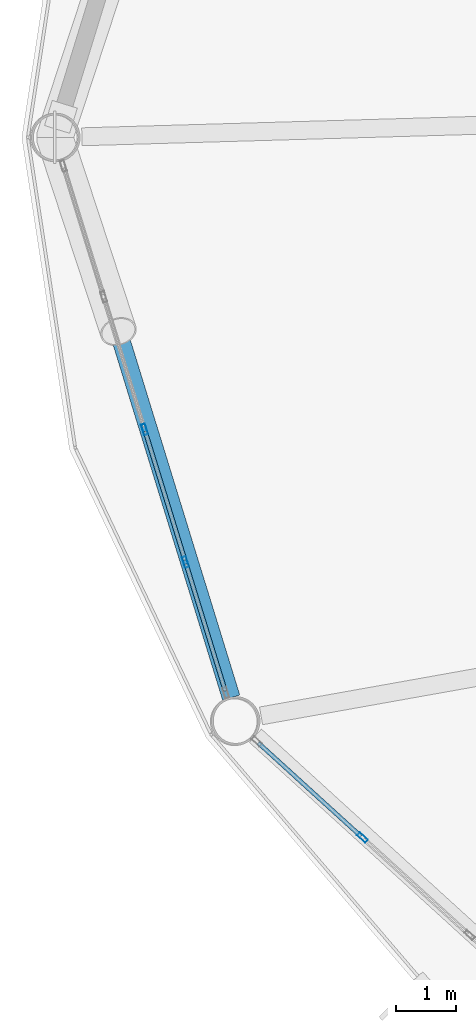
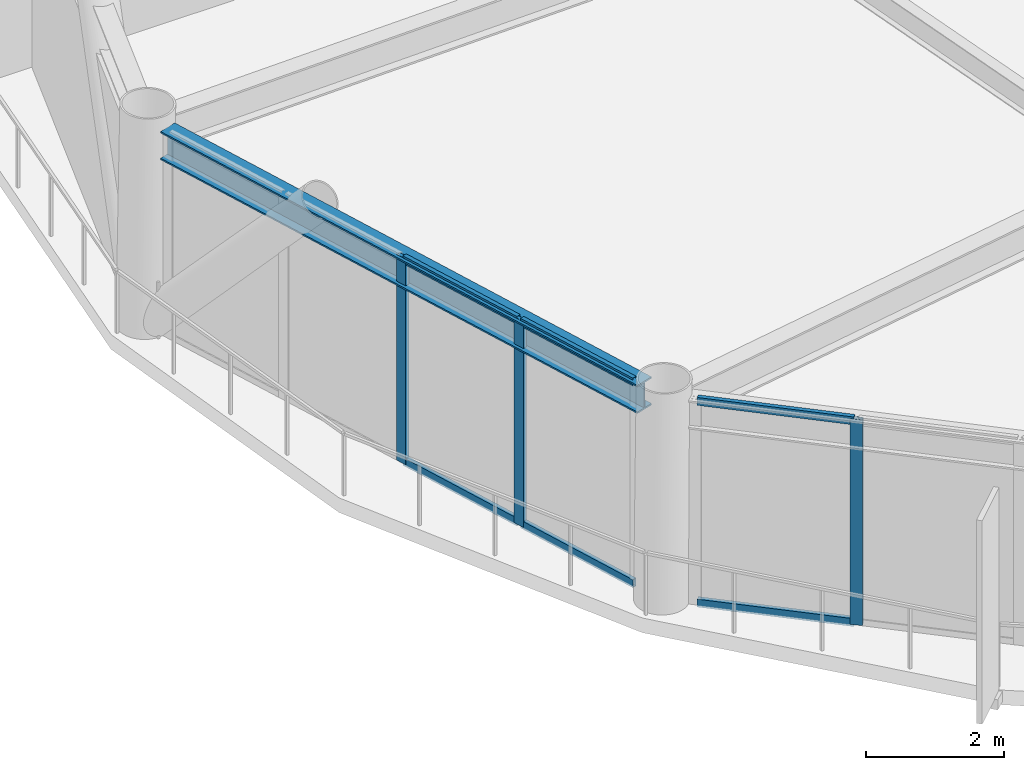
# One storey, part 3 of 25: 9 members, 1 beam, 2 elements without a shape of their own.
"""IFC4 building model written with IfcOpenShell, lengths in metres."""

import ifcopenshell
import ifcopenshell.guid

model = None  # the IFC model being written
_history = None  # IfcOwnerHistory: only IFC2X3 demands one
_inside = {}  # id of a spatial element -> (the spatial element, [elements in it])
_under = {}  # id of a project, library or spatial element -> (it, [spatial elements below it])
_declared = {}  # id of a project -> (the project, [libraries it declares])
_typed = {}  # id of a type object -> (the type object, [elements of that type])
_made_of = {}  # id of a material, layer set ... -> (it, [elements and type objects made of it])


def new_model(schema):
    """Start an empty IFC model of exactly this schema.

    Asked for "IFC4X3", IfcOpenShell would pick the latest addendum, in which some entities
    have other attributes; the version numbers below select the first issue.
    IFC2X3 requires an IfcOwnerHistory on every rooted entity: one is made here for all.
    """
    global model, _history
    if schema == "IFC4X3":
        model = ifcopenshell.file(schema_version=(4, 3, 0, 0))
    else:
        model = ifcopenshell.file(schema=schema)
    _inside.clear()
    _under.clear()
    _declared.clear()
    _typed.clear()
    _made_of.clear()
    _history = None
    if model.schema == "IFC2X3":
        org = make("IfcOrganization", Name="unknown")
        user = make(
            "IfcPersonAndOrganization",
            ThePerson=make("IfcPerson", FamilyName="unknown"),
            TheOrganization=org,
        )
        app = make(
            "IfcApplication",
            ApplicationDeveloper=org,
            Version="unknown",
            ApplicationFullName="unknown",
            ApplicationIdentifier="unknown",
        )
        _history = make(
            "IfcOwnerHistory",
            OwningUser=user,
            OwningApplication=app,
            ChangeAction="ADDED",
            CreationDate=0,
        )
    return model


def make(cls, **values):
    """One entity of the class cls with the attributes given. An attribute that is None is left unset."""
    return model.create_entity(
        cls, **{name: value for name, value in values.items() if value is not None}
    )


def rooted(cls, **values):
    """An entity with a GlobalId (a new one), such as an element, a storey or a relation."""
    return make(cls, GlobalId=ifcopenshell.guid.new(), OwnerHistory=_history, **values)


def si_unit(unit_type, name, prefix=None):
    """IfcSIUnit, for example si_unit("LENGTHUNIT", "METRE", prefix="MILLI")."""
    return make("IfcSIUnit", UnitType=unit_type, Prefix=prefix, Name=name)


def assignment(units):
    """IfcUnitAssignment: the units of a project."""
    return None if units is None else make("IfcUnitAssignment", Units=units)


def point(xyz):
    """IfcCartesianPoint."""
    return None if xyz is None else make("IfcCartesianPoint", Coordinates=xyz)


def direction(xyz):
    """IfcDirection."""
    return None if xyz is None else make("IfcDirection", DirectionRatios=xyz)


def frame(location, z_axis=None, x_axis=None):
    """IfcAxis2Placement3D, a coordinate frame: its origin and axes. An axis left out is left unset."""
    return make(
        "IfcAxis2Placement3D",
        Location=point(location),
        Axis=direction(z_axis),
        RefDirection=direction(x_axis),
    )


def frame_2d(location, x_axis=None):
    """IfcAxis2Placement2D, a coordinate frame in the plane: its origin and x axis."""
    return make(
        "IfcAxis2Placement2D", Location=point(location), RefDirection=direction(x_axis)
    )


def origin():
    """The frame at (0, 0, 0) with its axes left unset."""
    return frame((0.0, 0.0, 0.0))


def origin_2d():
    """The frame at (0, 0) in the plane with its x axis left unset."""
    return frame_2d((0.0, 0.0))


def place(relative_to, where):
    """IfcLocalPlacement: puts the frame where relative to a parent placement (None: the world)."""
    return make(
        "IfcLocalPlacement", PlacementRelTo=relative_to, RelativePlacement=where
    )


def context(
    kind, dimensions, precision=None, world=None, true_north=None, identifier=None
):
    """IfcGeometricRepresentationContext, for example the 3D "Model" context."""
    return make(
        "IfcGeometricRepresentationContext",
        ContextIdentifier=identifier,
        ContextType=kind,
        CoordinateSpaceDimension=dimensions,
        Precision=precision,
        WorldCoordinateSystem=world,
        TrueNorth=true_north,
    )


def subcontext(parent, identifier, kind, view, scale=None):
    """IfcGeometricRepresentationSubContext, for example "Body" below "Model"."""
    return make(
        "IfcGeometricRepresentationSubContext",
        ContextIdentifier=identifier,
        ContextType=kind,
        ParentContext=parent,
        TargetScale=scale,
        TargetView=view,
    )


def project(units=None, contexts=None):
    """IfcProject with its units and contexts."""
    return rooted(
        "IfcProject",
        Name="project",
        RepresentationContexts=contexts,
        UnitsInContext=assignment(units),
    )


def spatial(cls, under=None, at=None, **own):
    """A site, building, storey or space (cls), placed at a placement, below another one or the project."""
    s = rooted(cls, ObjectPlacement=at, **own)
    if under is not None:
        _under.setdefault(under.id(), (under, []))[1].append(s)
    return s


def profile(cls, at=None, kind="AREA", **sizes):
    """A parametric profile (cls). Its sizes go by their IFC names, for example OverallWidth=200.0."""
    return make(cls, ProfileType=kind, Position=at, **sizes)


def hollow_rectangle(**sizes):
    """IfcRectangleHollowProfileDef."""
    return profile("IfcRectangleHollowProfileDef", **sizes)


def i_section(**sizes):
    """IfcIShapeProfileDef."""
    return profile("IfcIShapeProfileDef", **sizes)


def extrude(swept, where, along, depth):
    """IfcExtrudedAreaSolid: the profile swept, set in the frame where, extruded along a direction by depth."""
    return make(
        "IfcExtrudedAreaSolid",
        SweptArea=swept,
        Position=where,
        ExtrudedDirection=direction(along),
        Depth=depth,
    )


def shape(context_of_items, identifier, shape_type, items):
    """IfcShapeRepresentation: the items that make up one representation, for example the "Body"."""
    return make(
        "IfcShapeRepresentation",
        ContextOfItems=context_of_items,
        RepresentationIdentifier=identifier,
        RepresentationType=shape_type,
        Items=items,
    )


def material(Name=None, Category=None):
    """IfcMaterial."""
    return make("IfcMaterial", Name=Name, Category=Category)


def layer(
    of_material, thickness, ventilated=None, Name=None, Category=None, Priority=None
):
    """IfcMaterialLayer: one layer of a wall or slab, of a material (None: an air gap)."""
    return make(
        "IfcMaterialLayer",
        Material=of_material,
        LayerThickness=thickness,
        IsVentilated=ventilated,
        Name=Name,
        Category=Category,
        Priority=Priority,
    )


def layer_set(layers, Name=None):
    """IfcMaterialLayerSet."""
    return make("IfcMaterialLayerSet", MaterialLayers=layers, LayerSetName=Name)


def material_profile(
    of_material, cross_section, Name=None, Category=None, Priority=None
):
    """IfcMaterialProfile: a cross section and its material."""
    return make(
        "IfcMaterialProfile",
        Name=Name,
        Material=of_material,
        Profile=cross_section,
        Priority=Priority,
        Category=Category,
    )


def profile_set(profiles, Name=None, composite=None):
    """IfcMaterialProfileSet."""
    return make(
        "IfcMaterialProfileSet",
        Name=Name,
        MaterialProfiles=profiles,
        CompositeProfile=composite,
    )


def made_of(thing, what):
    """Note that an element or type object is made of a material, layer set ...; save() writes the relation."""
    if what is not None:
        _made_of.setdefault(what.id(), (what, []))[1].append(thing)
    return thing


def type_object(cls, material=None, **own):
    """A type object (cls), such as IfcWallType, which elements share."""
    return made_of(rooted(cls, **own), material)


def element(
    cls,
    number,
    at=None,
    inside=None,
    cuts=None,
    type_object=None,
    material=None,
    context=None,
    identifier="Body",
    shape_type=None,
    held_by="IfcProductDefinitionShape",
    body=None,
    shapes=None,
    **own,
):
    """One element of the class cls, such as IfcWall. Its Tag is "e" and its number.

    at: its placement. inside: the storey or other place that contains it. cuts: it is an
    opening in that element (IfcRelVoidsElement). A single representation is given by context,
    identifier, shape_type and body (its items); several are given by shapes. held_by: the class
    of the entity that holds the representations. save() writes the other relations.
    """
    e = rooted(cls, Tag="e%d" % number, ObjectPlacement=at, **own)
    if body is not None:
        shapes = [shape(context, identifier, shape_type, body)]
    if shapes is not None:
        e.Representation = make(held_by, Representations=shapes)
    if inside is not None:
        _inside.setdefault(inside.id(), (inside, []))[1].append(e)
    if cuts is not None:
        rooted(
            "IfcRelVoidsElement", RelatingBuildingElement=cuts, RelatedOpeningElement=e
        )
    if type_object is not None:
        _typed.setdefault(type_object.id(), (type_object, []))[1].append(e)
    return made_of(e, material)


def aggregate(whole, parts):
    """IfcRelAggregates: a whole, such as a stair, and the parts it consists of."""
    return rooted("IfcRelAggregates", RelatingObject=whole, RelatedObjects=parts)


def save(model, path):
    """Write the relations noted so far, then the file.

    IfcRelAggregates (storeys below a building ...), IfcRelContainedInSpatialStructure (elements
    in a storey), IfcRelDefinesByType, IfcRelAssociatesMaterial and IfcRelDeclares: one each for
    every whole, place, type object, material and project.
    """
    for whole, parts in _under.values():
        aggregate(whole, parts)
    for where, things in _inside.values():
        rooted(
            "IfcRelContainedInSpatialStructure",
            RelatedElements=things,
            RelatingStructure=where,
        )
    for kind, things in _typed.values():
        rooted("IfcRelDefinesByType", RelatedObjects=things, RelatingType=kind)
    for what, things in _made_of.values():
        rooted("IfcRelAssociatesMaterial", RelatedObjects=things, RelatingMaterial=what)
    for by, libraries in _declared.values():
        rooted("IfcRelDeclares", RelatingContext=by, RelatedDefinitions=libraries)
    model.write(path)


model = new_model("IFC4")

# Units and contexts
model_context = context("Model", 3, precision=1e-05, world=origin(), true_north=direction((0.0, 1.0)))
body_context = subcontext(model_context, "Body", "Model", "MODEL_VIEW")
ifc_project = project(units=[si_unit("LENGTHUNIT", "METRE"), si_unit("AREAUNIT", "SQUARE_METRE"), si_unit("VOLUMEUNIT", "CUBIC_METRE"), si_unit("PLANEANGLEUNIT", "RADIAN"), si_unit("MASSUNIT", "GRAM", prefix="KILO")], contexts=[model_context])

# Site, building, storey
site_placement = place(None, origin())
site = spatial("IfcSite", under=ifc_project, at=site_placement, CompositionType="ELEMENT")
building_placement = place(site_placement, origin())
building = spatial("IfcBuilding", under=site, at=building_placement, Name="Varnakorn Sky Granary", CompositionType="ELEMENT")
storey_placement = place(building_placement, frame((0.0, 0.0, 99.300048828125)))
storey = spatial("IfcBuildingStorey", under=building, at=storey_placement, Name="L24", CompositionType="ELEMENT", Elevation=99.300048828125)

# Beam
ifc_material_1 = material(Name="Steel S355JR", Category="steel")
ifc_material_profile_1 = material_profile(ifc_material_1, i_section(OverallWidth=0.300048828125, OverallDepth=0.5, WebThickness=0.014404296875, FlangeThickness=0.028076171875, at=origin_2d()), Name="HE 500 B")
ifc_profile_set_1 = profile_set([ifc_material_profile_1], Name="Steel S355JR")
beam_type = type_object("IfcBeamType", Name="BM-SPD-Z2", PredefinedType="SPANDREL", material=ifc_profile_set_1)
beam_placement = place(storey_placement, frame((-22.9677734375, -0.3740234375, 3.389892578125), z_axis=(0.294513225016, -0.955647403748, 0.0), x_axis=(0.955647403748, 0.294513225016, 0.0)))
element("IfcBeam", 1, at=beam_placement, inside=storey, type_object=beam_type, Name="Perimeter Spandrel Ring Beam RB07 L24", PredefinedType="SPANDREL", context=body_context, shape_type="SweptSolid", body=[
    extrude(i_section(OverallWidth=0.300048828125, OverallDepth=0.5, WebThickness=0.014404296875, FlangeThickness=0.028076171875, at=origin_2d()), origin(), (0.0, 0.0, 1.0), 9.432861328125),
])

# Curtain wall, members
ifc_material_2 = material(Name="Anodised Bronze Aluminium Alloy 6063-T6", Category="aluminium")
ifc_layer = layer(ifc_material_2, 0.18994140625, Name="Anodised Bronze Aluminium Alloy 6063-T6")
ifc_layer_set = layer_set([ifc_layer], Name="Anodised Bronze Aluminium Alloy 6063-T6")
curtain_wall_type = type_object("IfcCurtainWallType", Name="CW-FRM-1", PredefinedType="USERDEFINED", material=ifc_layer_set)
curtain_wall_1_placement = place(storey_placement, origin())
curtain_wall_1 = element("IfcCurtainWall", 2, at=curtain_wall_1_placement, inside=storey, type_object=curtain_wall_type, Name="Unitised Curtain Wall CW3 CW-L24-B07", ObjectType="CURTAIN WALL", PredefinedType="USERDEFINED")
ifc_material_profile_2 = material_profile(ifc_material_2, hollow_rectangle(XDim=0.070068359375, YDim=0.18505859375, WallThickness=0.00390625, at=origin_2d()), Name="ALU MULL 70x185")
ifc_profile_set_2 = profile_set([ifc_material_profile_2], Name="Anodised Bronze Aluminium Alloy 6063-T6")
member_type_1 = type_object("IfcMemberType", Name="CW-FRM-1-MULL", PredefinedType="MULLION", material=ifc_profile_set_2)
member_1_placement = place(storey_placement, frame((-20.95556640625, -7.11669921875, 0.0), z_axis=(0.0, 0.0, 1.0), x_axis=(-0.955604848445, -0.294651274609, 0.0)))
member_1 = element("IfcMember", 3, at=member_1_placement, type_object=member_type_1, Name="CW3 mullion 2", PredefinedType="MULLION", context=body_context, shape_type="SweptSolid", body=[
    extrude(hollow_rectangle(XDim=0.070068359375, YDim=0.18505859375, WallThickness=0.00390625, at=origin_2d()), origin(), (0.0, 0.0, 1.0), 3.639892578125),
])
member_2_placement = place(storey_placement, frame((-21.641357421875, -4.89306640625, 0.0), z_axis=(0.0, 0.0, 1.0), x_axis=(-0.955604848445, -0.294651274609, 0.0)))
member_2 = element("IfcMember", 4, at=member_2_placement, type_object=member_type_1, Name="CW3 mullion 3", PredefinedType="MULLION", context=body_context, shape_type="SweptSolid", body=[
    extrude(hollow_rectangle(XDim=0.070068359375, YDim=0.18505859375, WallThickness=0.00390625, at=origin_2d()), origin(), (0.0, 0.0, 1.0), 3.639892578125),
])

# Curtain wall, member
curtain_wall_2_placement = place(storey_placement, origin())
curtain_wall_2 = element("IfcCurtainWall", 5, at=curtain_wall_2_placement, inside=storey, type_object=curtain_wall_type, Name="Unitised Curtain Wall CW3 CW-L24-B08", ObjectType="CURTAIN WALL", PredefinedType="USERDEFINED")
member_3_placement = place(storey_placement, frame((-17.9912109375, -11.73388671875, 0.0), z_axis=(0.0, 0.0, 1.0), x_axis=(-0.672918732545, -0.739716418224, 0.0)))
member_3 = element("IfcMember", 6, at=member_3_placement, type_object=member_type_1, Name="CW3 mullion 4", PredefinedType="MULLION", context=body_context, shape_type="SweptSolid", body=[
    extrude(hollow_rectangle(XDim=0.070068359375, YDim=0.18505859375, WallThickness=0.00390625, at=origin_2d()), origin(), (0.0, 0.0, 1.0), 3.639892578125),
])

# Member
ifc_material_profile_3 = material_profile(ifc_material_2, hollow_rectangle(XDim=0.070068359375, YDim=0.139892578125, WallThickness=0.00341796875, at=origin_2d()), Name="ALU TRAN 70x140")
ifc_profile_set_3 = profile_set([ifc_material_profile_3], Name="Anodised Bronze Aluminium Alloy 6063-T6")
member_type_2 = type_object("IfcMemberType", Name="CW-FRM-1-TRAN", PredefinedType="USERDEFINED", material=ifc_profile_set_3)
member_4_placement = place(storey_placement, frame((-20.29052734375, -9.273193359375, 0.034912109375), z_axis=(-0.294718975401, 0.955583970951, 0.0), x_axis=(-0.955583970951, -0.294718975401, 0.0)))
member_4 = element("IfcMember", 7, at=member_4_placement, type_object=member_type_2, Name="CW3 transom 1.1", ObjectType="TRANSOM", PredefinedType="USERDEFINED", context=body_context, shape_type="SweptSolid", body=[
    extrude(hollow_rectangle(XDim=0.070068359375, YDim=0.139892578125, WallThickness=0.00341796875, at=origin_2d()), origin(), (0.0, 0.0, 1.0), 2.2216796875),
])

member_5_placement = place(storey_placement, frame((-20.29052734375, -9.273193359375, 3.60498046875), z_axis=(-0.294718975401, 0.955583970951, 0.0), x_axis=(-0.955583970951, -0.294718975401, 0.0)))
member_5 = element("IfcMember", 8, at=member_5_placement, type_object=member_type_2, Name="CW3 transom 1.2", ObjectType="TRANSOM", PredefinedType="USERDEFINED", context=body_context, shape_type="SweptSolid", body=[
    extrude(hollow_rectangle(XDim=0.070068359375, YDim=0.139892578125, WallThickness=0.00341796875, at=origin_2d()), origin(), (0.0, 0.0, 1.0), 2.2216796875),
])

member_6_placement = place(storey_placement, frame((-20.9658203125, -7.083251953125, 0.034912109375), z_axis=(-0.294663497891, 0.955601079431, 0.0), x_axis=(-0.955601079431, -0.294663497891, 0.0)))
member_6 = element("IfcMember", 9, at=member_6_placement, type_object=member_type_2, Name="CW3 transom 2.1", ObjectType="TRANSOM", PredefinedType="USERDEFINED", context=body_context, shape_type="SweptSolid", body=[
    extrude(hollow_rectangle(XDim=0.070068359375, YDim=0.139892578125, WallThickness=0.00341796875, at=origin_2d()), origin(), (0.0, 0.0, 1.0), 2.2568359375),
])

member_7_placement = place(storey_placement, frame((-20.9658203125, -7.083251953125, 3.60498046875), z_axis=(-0.294663497891, 0.955601079431, 0.0), x_axis=(-0.955601079431, -0.294663497891, 0.0)))
member_7 = element("IfcMember", 10, at=member_7_placement, type_object=member_type_2, Name="CW3 transom 2.2", ObjectType="TRANSOM", PredefinedType="USERDEFINED", context=body_context, shape_type="SweptSolid", body=[
    extrude(hollow_rectangle(XDim=0.070068359375, YDim=0.139892578125, WallThickness=0.00341796875, at=origin_2d()), origin(), (0.0, 0.0, 1.0), 2.2568359375),
])

aggregate(curtain_wall_1, [member_1, member_2, member_4, member_5, member_6, member_7])

member_8_placement = place(storey_placement, frame((-18.01708984375, -11.71044921875, 0.034912109375), z_axis=(-0.739683254205, 0.672955186806, 0.0), x_axis=(-0.672955186806, -0.739683254205, 0.0)))
member_8 = element("IfcMember", 11, at=member_8_placement, type_object=member_type_2, Name="CW3 transom 4.1", ObjectType="TRANSOM", PredefinedType="USERDEFINED", context=body_context, shape_type="SweptSolid", body=[
    extrude(hollow_rectangle(XDim=0.070068359375, YDim=0.139892578125, WallThickness=0.00341796875, at=origin_2d()), origin(), (0.0, 0.0, 1.0), 2.3232421875),
])

member_9_placement = place(storey_placement, frame((-18.01708984375, -11.71044921875, 3.60498046875), z_axis=(-0.739683254205, 0.672955186806, 0.0), x_axis=(-0.672955186806, -0.739683254205, 0.0)))
member_9 = element("IfcMember", 12, at=member_9_placement, type_object=member_type_2, Name="CW3 transom 4.2", ObjectType="TRANSOM", PredefinedType="USERDEFINED", context=body_context, shape_type="SweptSolid", body=[
    extrude(hollow_rectangle(XDim=0.070068359375, YDim=0.139892578125, WallThickness=0.00341796875, at=origin_2d()), origin(), (0.0, 0.0, 1.0), 2.3232421875),
])

aggregate(curtain_wall_2, [member_3, member_8, member_9])

save(model, "model.ifc")
